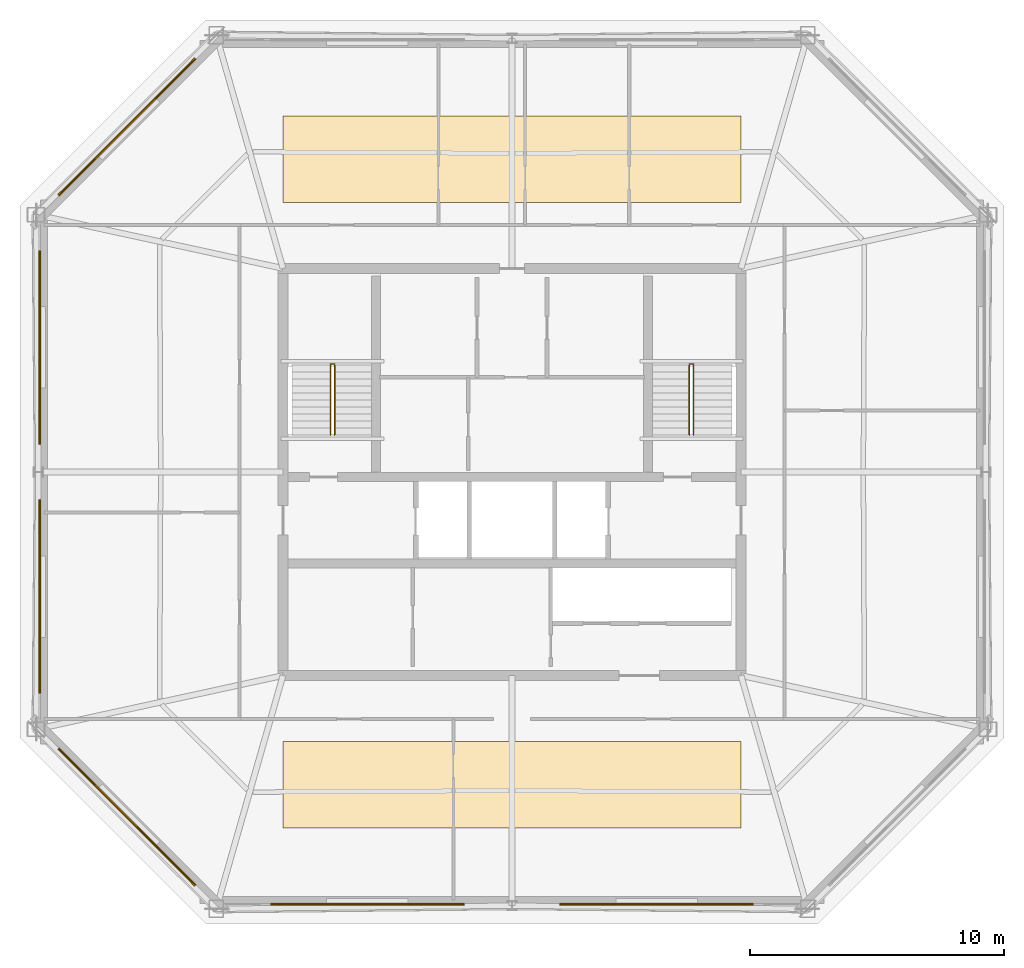
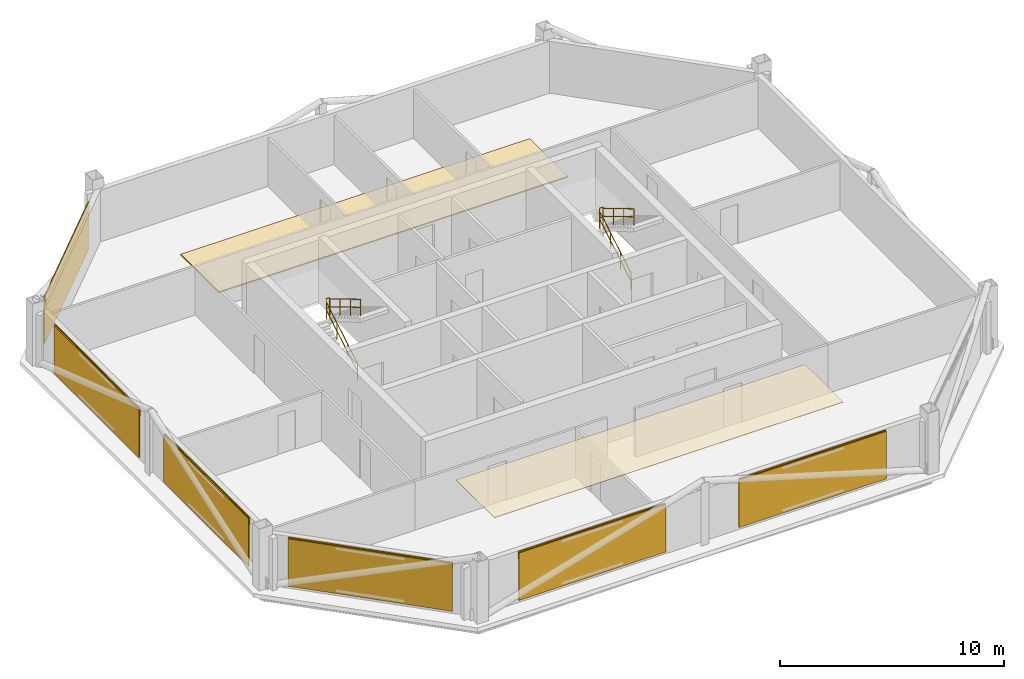
# One storey, part 5 of 6: 8 coverings, 6 railings, 6 shading devices.
"""IFC4 building model written with IfcOpenShell, lengths in metres."""

import ifcopenshell
import ifcopenshell.guid

model = None  # the IFC model being written
_history = None  # IfcOwnerHistory: only IFC2X3 demands one
_inside = {}  # id of a spatial element -> (the spatial element, [elements in it])
_under = {}  # id of a project, library or spatial element -> (it, [spatial elements below it])
_declared = {}  # id of a project -> (the project, [libraries it declares])
_typed = {}  # id of a type object -> (the type object, [elements of that type])
_made_of = {}  # id of a material, layer set ... -> (it, [elements and type objects made of it])


def new_model(schema):
    """Start an empty IFC model of exactly this schema.

    Asked for "IFC4X3", IfcOpenShell would pick the latest addendum, in which some entities
    have other attributes; the version numbers below select the first issue.
    IFC2X3 requires an IfcOwnerHistory on every rooted entity: one is made here for all.
    """
    global model, _history
    if schema == "IFC4X3":
        model = ifcopenshell.file(schema_version=(4, 3, 0, 0))
    else:
        model = ifcopenshell.file(schema=schema)
    _inside.clear()
    _under.clear()
    _declared.clear()
    _typed.clear()
    _made_of.clear()
    _history = None
    if model.schema == "IFC2X3":
        org = make("IfcOrganization", Name="unknown")
        user = make(
            "IfcPersonAndOrganization",
            ThePerson=make("IfcPerson", FamilyName="unknown"),
            TheOrganization=org,
        )
        app = make(
            "IfcApplication",
            ApplicationDeveloper=org,
            Version="unknown",
            ApplicationFullName="unknown",
            ApplicationIdentifier="unknown",
        )
        _history = make(
            "IfcOwnerHistory",
            OwningUser=user,
            OwningApplication=app,
            ChangeAction="ADDED",
            CreationDate=0,
        )
    return model


def make(cls, **values):
    """One entity of the class cls with the attributes given. An attribute that is None is left unset."""
    return model.create_entity(
        cls, **{name: value for name, value in values.items() if value is not None}
    )


def rooted(cls, **values):
    """An entity with a GlobalId (a new one), such as an element, a storey or a relation."""
    return make(cls, GlobalId=ifcopenshell.guid.new(), OwnerHistory=_history, **values)


def si_unit(unit_type, name, prefix=None):
    """IfcSIUnit, for example si_unit("LENGTHUNIT", "METRE", prefix="MILLI")."""
    return make("IfcSIUnit", UnitType=unit_type, Prefix=prefix, Name=name)


def assignment(units):
    """IfcUnitAssignment: the units of a project."""
    return None if units is None else make("IfcUnitAssignment", Units=units)


def point(xyz):
    """IfcCartesianPoint."""
    return None if xyz is None else make("IfcCartesianPoint", Coordinates=xyz)


def direction(xyz):
    """IfcDirection."""
    return None if xyz is None else make("IfcDirection", DirectionRatios=xyz)


def frame(location, z_axis=None, x_axis=None):
    """IfcAxis2Placement3D, a coordinate frame: its origin and axes. An axis left out is left unset."""
    return make(
        "IfcAxis2Placement3D",
        Location=point(location),
        Axis=direction(z_axis),
        RefDirection=direction(x_axis),
    )


def frame_2d(location, x_axis=None):
    """IfcAxis2Placement2D, a coordinate frame in the plane: its origin and x axis."""
    return make(
        "IfcAxis2Placement2D", Location=point(location), RefDirection=direction(x_axis)
    )


def origin():
    """The frame at (0, 0, 0) with its axes left unset."""
    return frame((0.0, 0.0, 0.0))


def origin_2d():
    """The frame at (0, 0) in the plane with its x axis left unset."""
    return frame_2d((0.0, 0.0))


def place(relative_to, where):
    """IfcLocalPlacement: puts the frame where relative to a parent placement (None: the world)."""
    return make(
        "IfcLocalPlacement", PlacementRelTo=relative_to, RelativePlacement=where
    )


def context(
    kind, dimensions, precision=None, world=None, true_north=None, identifier=None
):
    """IfcGeometricRepresentationContext, for example the 3D "Model" context."""
    return make(
        "IfcGeometricRepresentationContext",
        ContextIdentifier=identifier,
        ContextType=kind,
        CoordinateSpaceDimension=dimensions,
        Precision=precision,
        WorldCoordinateSystem=world,
        TrueNorth=true_north,
    )


def subcontext(parent, identifier, kind, view, scale=None):
    """IfcGeometricRepresentationSubContext, for example "Body" below "Model"."""
    return make(
        "IfcGeometricRepresentationSubContext",
        ContextIdentifier=identifier,
        ContextType=kind,
        ParentContext=parent,
        TargetScale=scale,
        TargetView=view,
    )


def project(units=None, contexts=None):
    """IfcProject with its units and contexts."""
    return rooted(
        "IfcProject",
        Name="project",
        RepresentationContexts=contexts,
        UnitsInContext=assignment(units),
    )


def spatial(cls, under=None, at=None, **own):
    """A site, building, storey or space (cls), placed at a placement, below another one or the project."""
    s = rooted(cls, ObjectPlacement=at, **own)
    if under is not None:
        _under.setdefault(under.id(), (under, []))[1].append(s)
    return s


def polyline(points):
    """IfcPolyline through the points."""
    return make("IfcPolyline", Points=[point(p) for p in points])


def profile(cls, at=None, kind="AREA", **sizes):
    """A parametric profile (cls). Its sizes go by their IFC names, for example OverallWidth=200.0."""
    return make(cls, ProfileType=kind, Position=at, **sizes)


def rectangle(**sizes):
    """IfcRectangleProfileDef."""
    return profile("IfcRectangleProfileDef", **sizes)


def circle(**sizes):
    """IfcCircleProfileDef."""
    return profile("IfcCircleProfileDef", **sizes)


def outline(outer, holes=None, kind="AREA"):
    """IfcArbitraryClosedProfileDef: a profile drawn as a closed curve; with holes, ...WithVoids."""
    if holes is None:
        return make("IfcArbitraryClosedProfileDef", ProfileType=kind, OuterCurve=outer)
    return make(
        "IfcArbitraryProfileDefWithVoids",
        ProfileType=kind,
        OuterCurve=outer,
        InnerCurves=holes,
    )


def extrude(swept, where, along, depth):
    """IfcExtrudedAreaSolid: the profile swept, set in the frame where, extruded along a direction by depth."""
    return make(
        "IfcExtrudedAreaSolid",
        SweptArea=swept,
        Position=where,
        ExtrudedDirection=direction(along),
        Depth=depth,
    )


def shape(context_of_items, identifier, shape_type, items):
    """IfcShapeRepresentation: the items that make up one representation, for example the "Body"."""
    return make(
        "IfcShapeRepresentation",
        ContextOfItems=context_of_items,
        RepresentationIdentifier=identifier,
        RepresentationType=shape_type,
        Items=items,
    )


def material(Name=None, Category=None):
    """IfcMaterial."""
    return make("IfcMaterial", Name=Name, Category=Category)


def layer(
    of_material, thickness, ventilated=None, Name=None, Category=None, Priority=None
):
    """IfcMaterialLayer: one layer of a wall or slab, of a material (None: an air gap)."""
    return make(
        "IfcMaterialLayer",
        Material=of_material,
        LayerThickness=thickness,
        IsVentilated=ventilated,
        Name=Name,
        Category=Category,
        Priority=Priority,
    )


def layer_set(layers, Name=None):
    """IfcMaterialLayerSet."""
    return make("IfcMaterialLayerSet", MaterialLayers=layers, LayerSetName=Name)


def made_of(thing, what):
    """Note that an element or type object is made of a material, layer set ...; save() writes the relation."""
    if what is not None:
        _made_of.setdefault(what.id(), (what, []))[1].append(thing)
    return thing


def type_object(cls, material=None, **own):
    """A type object (cls), such as IfcWallType, which elements share."""
    return made_of(rooted(cls, **own), material)


def element(
    cls,
    number,
    at=None,
    inside=None,
    cuts=None,
    type_object=None,
    material=None,
    context=None,
    identifier="Body",
    shape_type=None,
    held_by="IfcProductDefinitionShape",
    body=None,
    shapes=None,
    **own,
):
    """One element of the class cls, such as IfcWall. Its Tag is "e" and its number.

    at: its placement. inside: the storey or other place that contains it. cuts: it is an
    opening in that element (IfcRelVoidsElement). A single representation is given by context,
    identifier, shape_type and body (its items); several are given by shapes. held_by: the class
    of the entity that holds the representations. save() writes the other relations.
    """
    e = rooted(cls, Tag="e%d" % number, ObjectPlacement=at, **own)
    if body is not None:
        shapes = [shape(context, identifier, shape_type, body)]
    if shapes is not None:
        e.Representation = make(held_by, Representations=shapes)
    if inside is not None:
        _inside.setdefault(inside.id(), (inside, []))[1].append(e)
    if cuts is not None:
        rooted(
            "IfcRelVoidsElement", RelatingBuildingElement=cuts, RelatedOpeningElement=e
        )
    if type_object is not None:
        _typed.setdefault(type_object.id(), (type_object, []))[1].append(e)
    return made_of(e, material)


def aggregate(whole, parts):
    """IfcRelAggregates: a whole, such as a stair, and the parts it consists of."""
    return rooted("IfcRelAggregates", RelatingObject=whole, RelatedObjects=parts)


def save(model, path):
    """Write the relations noted so far, then the file.

    IfcRelAggregates (storeys below a building ...), IfcRelContainedInSpatialStructure (elements
    in a storey), IfcRelDefinesByType, IfcRelAssociatesMaterial and IfcRelDeclares: one each for
    every whole, place, type object, material and project.
    """
    for whole, parts in _under.values():
        aggregate(whole, parts)
    for where, things in _inside.values():
        rooted(
            "IfcRelContainedInSpatialStructure",
            RelatedElements=things,
            RelatingStructure=where,
        )
    for kind, things in _typed.values():
        rooted("IfcRelDefinesByType", RelatedObjects=things, RelatingType=kind)
    for what, things in _made_of.values():
        rooted("IfcRelAssociatesMaterial", RelatedObjects=things, RelatingMaterial=what)
    for by, libraries in _declared.values():
        rooted("IfcRelDeclares", RelatingContext=by, RelatedDefinitions=libraries)
    model.write(path)


model = new_model("IFC4")

# Units and contexts
model_context = context("Model", 3, precision=1e-05, world=origin(), true_north=direction((0.0, 1.0)))
body_context = subcontext(model_context, "Body", "Model", "MODEL_VIEW")
ifc_project = project(units=[si_unit("LENGTHUNIT", "METRE"), si_unit("AREAUNIT", "SQUARE_METRE"), si_unit("VOLUMEUNIT", "CUBIC_METRE"), si_unit("PLANEANGLEUNIT", "RADIAN"), si_unit("MASSUNIT", "GRAM", prefix="KILO")], contexts=[model_context])

# Site, building, storey
site_placement = place(None, origin())
site = spatial("IfcSite", under=ifc_project, at=site_placement, CompositionType="ELEMENT")
building_placement = place(site_placement, origin())
building = spatial("IfcBuilding", under=site, at=building_placement, Name="Caelvoria Tower", CompositionType="ELEMENT")
storey_placement = place(building_placement, frame((0.0, 0.0, 250.199951171875)))
storey = spatial("IfcBuildingStorey", under=building, at=storey_placement, Name="L66", CompositionType="ELEMENT", Elevation=250.199951171875)

# Coverings
ifc_material_1 = material(Name="Acoustic Mineral Fibre Tile", Category="gypsum")
ifc_layer_1 = layer(ifc_material_1, 0.02490234375, Name="Acoustic Mineral Fibre Tile")
ifc_layer_set_1 = layer_set([ifc_layer_1], Name="Mineral-Fibre Acoustic Suspended Ceiling 25 - Acoustic Mineral Fibre Tile")
covering_type_1 = type_object("IfcCoveringType", Name="Mineral-Fibre Acoustic Suspended Ceiling 25", PredefinedType="CEILING", material=ifc_layer_set_1)
covering_1_placement = place(storey_placement, frame((0.0, 0.0, 2.650146484375)))
element("IfcCovering", 1, at=covering_1_placement, inside=storey, type_object=covering_type_1, Name="Suspended Acoustic Ceiling L66", PredefinedType="CEILING", context=body_context, shape_type="SweptSolid", body=[
    extrude(outline(polyline([(37.0, 18.0), (55.0, 18.0), (55.0, 21.39990234375), (37.0, 21.39990234375), (37.0, 18.0)])), origin(), (0.0, 0.0, 1.0), 0.02490234375),
])
ifc_material_2 = material(Name="Perforated Architectural Bronze Cladding Screen", Category="bronze")
ifc_layer_2 = layer(ifc_material_2, 0.0400390625, Name="Perforated Architectural Bronze Cladding Screen")
ifc_layer_set_2 = layer_set([ifc_layer_2], Name="Perforated Bronze Louvre Cladding Band 40 - Perforated Architectural Bronze Cladding Screen")
covering_type_2 = type_object("IfcCoveringType", Name="Perforated Bronze Louvre Cladding Band 40", PredefinedType="CLADDING", material=ifc_layer_set_2)
for number, where, z_axis, x_axis, name in (
    (2, (40.31640625, 15.031982421875, 2.412109375), (0.0, 0.0, 1.0), (1.0, 0.0, 0.0), "Perforated Bronze Screen Band L66-E0-00"),
    (3, (51.68359375, 15.031982421875, 2.412109375), (0.0, 0.0, 1.0), (1.0, 0.0, 0.0), "Perforated Bronze Screen Band L66-E0-01"),
    (4, (30.880615234375, 45.54638671875, 2.412109375), (0.0, 0.0, 1.0), (-0.707106781187, -0.707106781187, 0.0), "Perforated Bronze Screen Band L66-E5-00"),
    (5, (27.458984375, 36.897216796875, 2.412109375), (0.0, 0.0, 1.0), (0.0, -1.0, 0.0), "Perforated Bronze Screen Band L66-E6-00"),
    (6, (27.458984375, 27.102783203125, 2.412109375), (0.0, 0.0, 1.0), (0.0, -1.0, 0.0), "Perforated Bronze Screen Band L66-E6-01"),
    (7, (30.880615234375, 18.45361328125, 2.412109375), (0.0, 0.0, 1.0), (0.707106781187, -0.707106781187, 0.0), "Perforated Bronze Screen Band L66-E7-00"),
):
    element("IfcCovering", number, at=place(storey_placement, frame(where, z_axis=z_axis, x_axis=x_axis)), inside=storey, type_object=covering_type_2, Name=name, PredefinedType="CLADDING", context=body_context, shape_type="SweptSolid", body=[
        extrude(rectangle(XDim=7.60009765625, YDim=0.0400390625, at=origin_2d()), origin(), (0.0, 0.0, 1.0), 0.39990234375),
    ])

# Shading devices
ifc_material_3 = material(Name="Perforated Architectural Bronze Alloy Panel", Category="bronze")
ifc_layer_3 = layer(ifc_material_3, 0.044921875, Name="Perforated Architectural Bronze Alloy Panel")
ifc_layer_set_3 = layer_set([ifc_layer_3], Name="Perforated Bronze Solar Screen Panel SCREEN - Perforated Architectural Bronze Alloy Panel")
shading_device_type = type_object("IfcShadingDeviceType", Name="Perforated Bronze Solar Screen Panel SCREEN", PredefinedType="USERDEFINED", material=ifc_layer_set_3)
for number, where, z_axis, x_axis, name in (
    (8, (40.31640625, 14.989013671875, 0.16015625), (0.0, 0.0, 1.0), (1.0, 0.0, 0.0), "Perforated Bronze Solar Screen L66-E0-00"),
    (9, (51.68359375, 14.989013671875, 0.16015625), (0.0, 0.0, 1.0), (1.0, 0.0, 0.0), "Perforated Bronze Solar Screen L66-E0-01"),
    (10, (30.850341796875, 45.576904296875, 0.16015625), (0.0, 0.0, 1.0), (-0.707106781187, -0.707106781187, 0.0), "Perforated Bronze Solar Screen L66-E5-00"),
    (11, (27.416015625, 36.897216796875, 0.16015625), (0.0, 0.0, 1.0), (0.0, -1.0, 0.0), "Perforated Bronze Solar Screen L66-E6-00"),
    (12, (27.416015625, 27.102783203125, 0.16015625), (0.0, 0.0, 1.0), (0.0, -1.0, 0.0), "Perforated Bronze Solar Screen L66-E6-01"),
    (13, (30.850341796875, 18.423095703125, 0.16015625), (0.0, 0.0, 1.0), (0.707106781187, -0.707106781187, 0.0), "Perforated Bronze Solar Screen L66-E7-00"),
):
    element("IfcShadingDevice", number, at=place(storey_placement, frame(where, z_axis=z_axis, x_axis=x_axis)), inside=storey, type_object=shading_device_type, Name=name, ObjectType="SCREEN", PredefinedType="USERDEFINED", context=body_context, shape_type="SweptSolid", body=[
        extrude(rectangle(XDim=7.60009765625, YDim=0.044921875, at=origin_2d()), origin(), (0.0, 0.0, 1.0), 2.592041015625),
    ])

# Covering
ifc_material_4 = material(Name="Calcium-Sulphate Raised Floor Tile", Category="gypsum")
ifc_layer_4 = layer(ifc_material_4, 0.06005859375, Name="Calcium-Sulphate Raised Floor Tile")
ifc_layer_set_4 = layer_set([ifc_layer_4], Name="Raised Access Office Floor System 120 - Calcium-Sulphate Raised Floor Tile")
covering_type_3 = type_object("IfcCoveringType", Name="Raised Access Office Floor System 120", PredefinedType="FLOORING", material=ifc_layer_set_4)
covering_2_placement = place(storey_placement, origin())
element("IfcCovering", 14, at=covering_2_placement, inside=storey, type_object=covering_type_3, Name="Raised Access Flooring L66", PredefinedType="FLOORING", context=body_context, shape_type="SweptSolid", body=[
    extrude(outline(polyline([(37.0, 42.60009765625), (55.0, 42.60009765625), (55.0, 46.0), (37.0, 46.0), (37.0, 42.60009765625)])), origin(), (0.0, 0.0, 1.0), 0.06005859375),
])

# Railings
ifc_material_5 = material(Name="Brushed Stainless Steel Tube", Category="steel")
railing_type_1 = type_object("IfcRailingType", Name="Stair Tubular Stainless Handrail 920", PredefinedType="HANDRAIL", material=ifc_material_5)
railing_1_placement = place(storey_placement, frame((38.8701171875, 33.449951171875, 0.16357421875)))
element("IfcRailing", 15, at=railing_1_placement, inside=storey, type_object=railing_type_1, Name="ST-01 Flight 1 Handrail L66", PredefinedType="HANDRAIL", context=body_context, shape_type="SweptSolid", body=[
    extrude(circle(Radius=0.02392578125, at=origin_2d()), frame((0.0, 0.0, 0.89599609375), z_axis=(0.0, 0.859351957796, 0.511384603436), x_axis=(-1.0, 0.0, 0.0)), (0.0, 0.0, 1.0), 3.2001953125),
    extrude(circle(Radius=0.02392578125, at=origin_2d()), frame((0.0, 0.0, 0.4599609375), z_axis=(0.0, 0.859351957796, 0.511384603436), x_axis=(-1.0, 0.0, 0.0)), (0.0, 0.0, 1.0), 3.2001953125),
    extrude(circle(Radius=0.02099609375, at=origin_2d()), origin(), (0.0, 0.0, 1.0), 0.871826171875),
    extrude(circle(Radius=0.02099609375, at=origin_2d()), frame((0.0, 0.916748046875, 0.54541015625)), (0.0, 0.0, 1.0), 0.871826171875),
    extrude(circle(Radius=0.02099609375, at=origin_2d()), frame((0.0, 1.833251953125, 1.091064453125)), (0.0, 0.0, 1.0), 0.871826171875),
    extrude(circle(Radius=0.02099609375, at=origin_2d()), frame((0.0, 2.75, 1.636474609375)), (0.0, 0.0, 1.0), 0.871826171875),
])
railing_2_placement = place(storey_placement, frame((39.030029296875, 36.199951171875, 1.963623046875)))
element("IfcRailing", 16, at=railing_2_placement, inside=storey, type_object=railing_type_1, Name="ST-01 Flight 2 Handrail L66", PredefinedType="HANDRAIL", context=body_context, shape_type="SweptSolid", body=[
    extrude(circle(Radius=0.02392578125, at=origin_2d()), frame((0.0, 0.0, 0.89599609375), z_axis=(0.0, -0.859351957796, 0.511384603436), x_axis=(1.0, 0.0, 0.0)), (0.0, 0.0, 1.0), 3.2001953125),
    extrude(circle(Radius=0.02392578125, at=origin_2d()), frame((0.0, 0.0, 0.4599609375), z_axis=(0.0, -0.859351957796, 0.511384603436), x_axis=(1.0, 0.0, 0.0)), (0.0, 0.0, 1.0), 3.2001953125),
    extrude(circle(Radius=0.02099609375, at=origin_2d()), origin(), (0.0, 0.0, 1.0), 0.871826171875),
    extrude(circle(Radius=0.02099609375, at=origin_2d()), frame((0.0, -0.916748046875, 0.54541015625)), (0.0, 0.0, 1.0), 0.871826171875),
    extrude(circle(Radius=0.02099609375, at=origin_2d()), frame((0.0, -1.833251953125, 1.091064453125)), (0.0, 0.0, 1.0), 0.871826171875),
    extrude(circle(Radius=0.02099609375, at=origin_2d()), frame((0.0, -2.75, 1.636474609375)), (0.0, 0.0, 1.0), 0.871826171875),
])
railing_3_placement = place(storey_placement, frame((52.969970703125, 33.449951171875, 0.16357421875)))
element("IfcRailing", 17, at=railing_3_placement, inside=storey, type_object=railing_type_1, Name="ST-02 Flight 1 Handrail L66", PredefinedType="HANDRAIL", context=body_context, shape_type="SweptSolid", body=[
    extrude(circle(Radius=0.02392578125, at=origin_2d()), frame((0.0, 0.0, 0.89599609375), z_axis=(0.0, 0.859351957796, 0.511384603436), x_axis=(-1.0, 0.0, 0.0)), (0.0, 0.0, 1.0), 3.2001953125),
    extrude(circle(Radius=0.02392578125, at=origin_2d()), frame((0.0, 0.0, 0.4599609375), z_axis=(0.0, 0.859351957796, 0.511384603436), x_axis=(-1.0, 0.0, 0.0)), (0.0, 0.0, 1.0), 3.2001953125),
    extrude(circle(Radius=0.02099609375, at=origin_2d()), origin(), (0.0, 0.0, 1.0), 0.871826171875),
    extrude(circle(Radius=0.02099609375, at=origin_2d()), frame((0.0, 0.916748046875, 0.54541015625)), (0.0, 0.0, 1.0), 0.871826171875),
    extrude(circle(Radius=0.02099609375, at=origin_2d()), frame((0.0, 1.833251953125, 1.091064453125)), (0.0, 0.0, 1.0), 0.871826171875),
    extrude(circle(Radius=0.02099609375, at=origin_2d()), frame((0.0, 2.75, 1.636474609375)), (0.0, 0.0, 1.0), 0.871826171875),
])
railing_4_placement = place(storey_placement, frame((53.1298828125, 36.199951171875, 1.963623046875)))
element("IfcRailing", 18, at=railing_4_placement, inside=storey, type_object=railing_type_1, Name="ST-02 Flight 2 Handrail L66", PredefinedType="HANDRAIL", context=body_context, shape_type="SweptSolid", body=[
    extrude(circle(Radius=0.02392578125, at=origin_2d()), frame((0.0, 0.0, 0.89599609375), z_axis=(0.0, -0.859351957796, 0.511384603436), x_axis=(1.0, 0.0, 0.0)), (0.0, 0.0, 1.0), 3.2001953125),
    extrude(circle(Radius=0.02392578125, at=origin_2d()), frame((0.0, 0.0, 0.4599609375), z_axis=(0.0, -0.859351957796, 0.511384603436), x_axis=(1.0, 0.0, 0.0)), (0.0, 0.0, 1.0), 3.2001953125),
    extrude(circle(Radius=0.02099609375, at=origin_2d()), origin(), (0.0, 0.0, 1.0), 0.871826171875),
    extrude(circle(Radius=0.02099609375, at=origin_2d()), frame((0.0, -0.916748046875, 0.54541015625)), (0.0, 0.0, 1.0), 0.871826171875),
    extrude(circle(Radius=0.02099609375, at=origin_2d()), frame((0.0, -1.833251953125, 1.091064453125)), (0.0, 0.0, 1.0), 0.871826171875),
    extrude(circle(Radius=0.02099609375, at=origin_2d()), frame((0.0, -2.75, 1.636474609375)), (0.0, 0.0, 1.0), 0.871826171875),
])
ifc_material_6 = material(Name="Brushed Stainless Steel Guardrail", Category="steel")
railing_type_2 = type_object("IfcRailingType", Name="Stair Well and Ramp Guardrail 1120", PredefinedType="GUARDRAIL", material=ifc_material_6)
for number, where, name in (
    (19, (38.8701171875, 36.239990234375, 1.800048828125), "ST-01 Half-Landing Well Guard L66"),
    (20, (52.969970703125, 36.239990234375, 1.800048828125), "ST-02 Half-Landing Well Guard L66"),
):
    element("IfcRailing", number, at=place(storey_placement, frame(where)), inside=storey, type_object=railing_type_2, Name=name, PredefinedType="GUARDRAIL", context=body_context, shape_type="SweptSolid", body=[
        extrude(circle(Radius=0.02392578125, at=origin_2d()), frame((0.0, 0.0, 1.09619140625), z_axis=(1.0, 0.0, 0.0), x_axis=(0.0, 1.0, 0.0)), (0.0, 0.0, 1.0), 0.159912109375),
        extrude(circle(Radius=0.02392578125, at=origin_2d()), frame((0.0, 0.0, 0.56005859375), z_axis=(1.0, 0.0, 0.0), x_axis=(0.0, 1.0, 0.0)), (0.0, 0.0, 1.0), 0.159912109375),
        extrude(circle(Radius=0.02099609375, at=origin_2d()), origin(), (0.0, 0.0, 1.0), 1.072021484375),
        extrude(circle(Radius=0.02099609375, at=origin_2d()), frame((0.159912109375, 0.0, 0.0)), (0.0, 0.0, 1.0), 1.072021484375),
    ])

save(model, "model.ifc")
